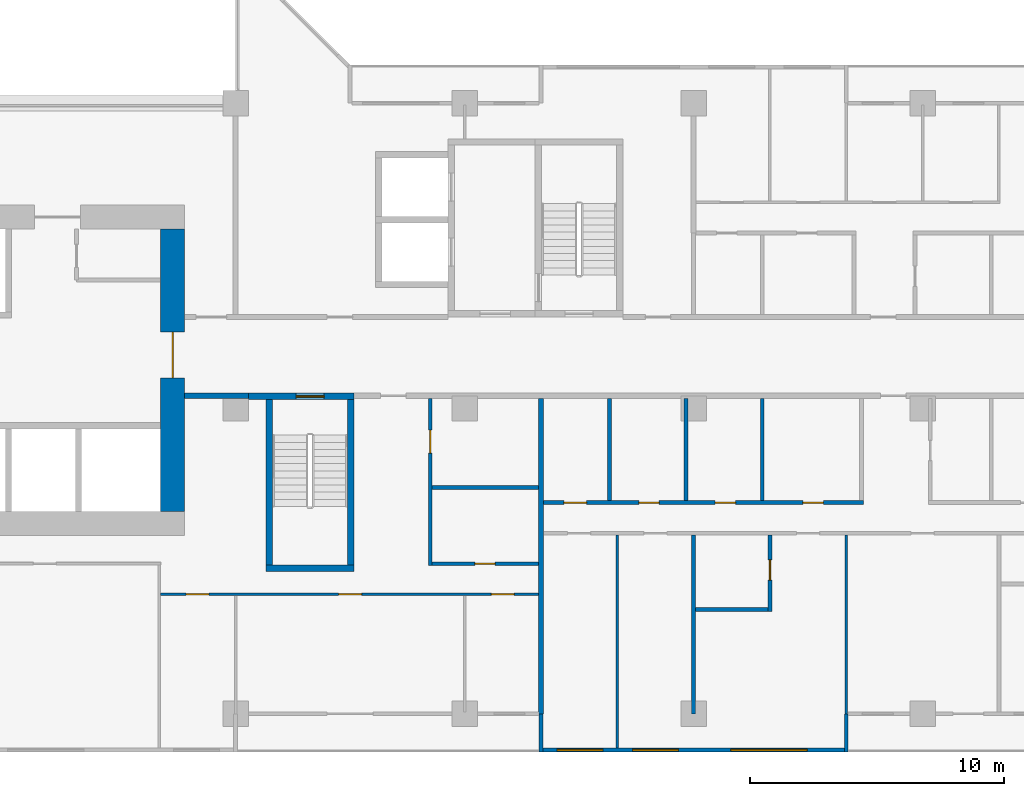
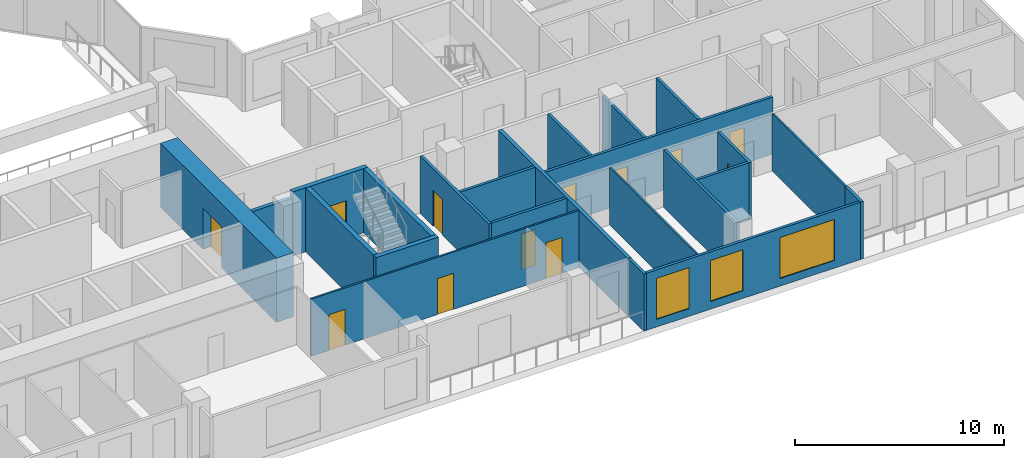
# One storey, part 6 of 15: 23 walls, 12 doors, 3 windows, 15 openings.
"""IFC4 building model written with IfcOpenShell, lengths in metres."""

from ifc_helpers import new_model, si_unit, direction, frame, frame_2d, origin, place, context, subcontext, project, spatial, rectangle, extrude, material, layer, layer_set, type_object, element, fill, save


model = new_model("IFC4")

# Units and contexts
model_context = context("Model", 3, precision=1e-05, world=origin(), true_north=direction((0.0, 1.0)))
body_context = subcontext(model_context, "Body", "Model", "MODEL_VIEW")
ifc_project = project(units=[si_unit("LENGTHUNIT", "METRE"), si_unit("AREAUNIT", "SQUARE_METRE"), si_unit("VOLUMEUNIT", "CUBIC_METRE"), si_unit("PLANEANGLEUNIT", "RADIAN"), si_unit("MASSUNIT", "GRAM", prefix="KILO")], contexts=[model_context])

# Site, building, storey
site_placement = place(None, origin())
site = spatial("IfcSite", under=ifc_project, at=site_placement, CompositionType="ELEMENT")
building_placement = place(site_placement, origin())
building = spatial("IfcBuilding", under=site, at=building_placement, Name="Chenar Terraces", CompositionType="ELEMENT")
storey_placement = place(building_placement, frame((0.0, 0.0, 118.14990234375)))
storey = spatial("IfcBuildingStorey", under=building, at=storey_placement, Name="L27", CompositionType="ELEMENT", Elevation=118.14990234375)

# Wall
ifc_material_1 = material(Name="Concrete C70/85", Category="concrete")
ifc_layer_1 = layer(ifc_material_1, 0.25)
ifc_layer_set_1 = layer_set([ifc_layer_1], Name="Concrete C70/85")
wall_type_1 = type_object("IfcWallType", Name="Core wall 250 Concrete C70/85", PredefinedType="SHEAR", material=ifc_layer_set_1)
wall_1_placement = place(storey_placement, frame((37.199951171875, 5.72509765625, 0.0), z_axis=(0.0, 0.0, 1.0), x_axis=(1.0, 0.0, 0.0)))
element("IfcWall", 1, at=wall_1_placement, inside=storey, type_object=wall_type_1, Name="Core wall ST2_S L27", PredefinedType="SHEAR", context=body_context, shape_type="SweptSolid", body=[
    extrude(rectangle(XDim=3.449951171875, YDim=0.25, at=frame_2d((1.72509765625, 0.0))), origin(), (0.0, 0.0, 1.0), 3.75),
])

# Wall, opening, door
wall_2_placement = place(storey_placement, frame((36.5, 12.47509765625, 0.0), z_axis=(0.0, 0.0, 1.0), x_axis=(1.0, 0.0, 0.0)))
wall_2 = element("IfcWall", 2, at=wall_2_placement, inside=storey, type_object=wall_type_1, Name="Core wall ST2_N L27", PredefinedType="SHEAR", context=body_context, shape_type="SweptSolid", body=[
    extrude(rectangle(XDim=4.14990234375, YDim=0.25, at=frame_2d((2.074951171875, 0.0))), origin(), (0.0, 0.0, 1.0), 3.75),
])
opening_1_placement = place(wall_2_placement, frame((1.875, 0.0, 0.0)))
opening_1 = element("IfcOpeningElement", 3, at=opening_1_placement, cuts=wall_2, Name="Opening DL27-C7", PredefinedType="OPENING", context=body_context, shape_type="SweptSolid", body=[
    extrude(rectangle(XDim=1.10009765625, YDim=2.199951171875, at=frame_2d((0.550048828125, 1.10009765625))), frame((0.0, 0.135009765625, 0.0), z_axis=(0.0, -1.0, 0.0), x_axis=(1.0, 0.0, 0.0)), (0.0, 0.0, 1.0), 0.27001953125),
])
ifc_material_2 = material(Name="Steel-framed fire-resisting door leaf", Category="steel")
door_type_1 = type_object("IfcDoorType", Name="Stair fire door FD60 1100 x 2200", OperationType="SINGLE_SWING_LEFT", PredefinedType="DOOR", material=ifc_material_2)
door_1_placement = place(opening_1_placement, frame((1.10009765625, 0.0, 0.0), z_axis=(0.0, 0.0, 1.0), x_axis=(-1.0, 0.0, 0.0)))
door_1 = element("IfcDoor", 4, at=door_1_placement, inside=storey, type_object=door_type_1, Name="Stair door DL27-C7", OperationType="SINGLE_SWING_RIGHT", OverallHeight=2.199951171875, OverallWidth=1.10009765625, PredefinedType="DOOR", context=body_context, shape_type="SweptSolid", body=[
    extrude(rectangle(XDim=1.10009765625, YDim=2.199951171875, at=frame_2d((0.550048828125, 1.10009765625))), frame((0.0, 0.02490234375, 0.0), z_axis=(0.0, -1.0, 0.0), x_axis=(1.0, 0.0, 0.0)), (0.0, 0.0, 1.0), 0.050048828125),
])
fill(opening_1, door_1)

# Walls
for number, where, z_axis, x_axis, name in (
    (5, (37.324951171875, 5.85009765625, 0.0), (0.0, 0.0, 1.0), (0.0, 1.0, 0.0), "Core wall ST2_W L27"),
    (6, (40.52490234375, 5.85009765625, 0.0), (0.0, 0.0, 1.0), (0.0, 1.0, 0.0), "Core wall ST2_E L27"),
):
    element("IfcWall", number, at=place(storey_placement, frame(where, z_axis=z_axis, x_axis=x_axis)), inside=storey, type_object=wall_type_1, Name=name, PredefinedType="SHEAR", context=body_context, shape_type="SweptSolid", body=[
        extrude(rectangle(XDim=6.5, YDim=0.25, at=frame_2d((3.25, 0.0))), origin(), (0.0, 0.0, 1.0), 3.75),
    ])

# Wall, opening, door
ifc_material_3 = material(Name="Concrete C70/85", Category="concrete")
ifc_layer_2 = layer(ifc_material_3, 0.949951171875)
ifc_layer_set_2 = layer_set([ifc_layer_2], Name="Concrete C70/85")
wall_type_2 = type_object("IfcWallType", Name="Core wall 950 Concrete C70/85", PredefinedType="SHEAR", material=ifc_layer_set_2)
wall_3_placement = place(storey_placement, frame((33.52490234375, 7.949951171875, 0.0), z_axis=(0.0, 0.0, 1.0), x_axis=(0.0, 1.0, 0.0)))
wall_3 = element("IfcWall", 7, at=wall_3_placement, inside=storey, type_object=wall_type_2, Name="Core wall E L27", PredefinedType="SHEAR", context=body_context, shape_type="SweptSolid", body=[
    extrude(rectangle(XDim=11.10009765625, YDim=0.949951171875, at=frame_2d((5.550048828125, 0.0))), origin(), (0.0, 0.0, 1.0), 3.75),
])
opening_2_placement = place(wall_3_placement, frame((5.25, 0.0, 0.0)))
opening_2 = element("IfcOpeningElement", 8, at=opening_2_placement, cuts=wall_3, Name="Opening DL27-C1", PredefinedType="OPENING", context=body_context, shape_type="SweptSolid", body=[
    extrude(rectangle(XDim=1.800048828125, YDim=2.39990234375, at=frame_2d((0.89990234375, 1.199951171875))), frame((0.0, 0.48486328125, 0.0), z_axis=(0.0, -1.0, 0.0), x_axis=(1.0, 0.0, 0.0)), (0.0, 0.0, 1.0), 0.969970703125),
])
ifc_material_4 = material(Name="Steel-framed fire-resisting door leaf", Category="steel")
door_type_2 = type_object("IfcDoorType", Name="Core entrance double fire door FD60 1800 x 2400", OperationType="DOUBLE_DOOR_SINGLE_SWING", PredefinedType="DOOR", material=ifc_material_4)
door_2_placement = place(opening_2_placement, origin())
door_2 = element("IfcDoor", 9, at=door_2_placement, inside=storey, type_object=door_type_2, Name="Core door DL27-C1", OperationType="DOUBLE_DOOR_SINGLE_SWING", OverallHeight=2.39990234375, OverallWidth=1.800048828125, PredefinedType="DOOR", context=body_context, shape_type="SweptSolid", body=[
    extrude(rectangle(XDim=1.800048828125, YDim=2.39990234375, at=frame_2d((0.89990234375, 1.199951171875))), frame((0.0, 0.02490234375, 0.0), z_axis=(0.0, -1.0, 0.0), x_axis=(1.0, 0.0, 0.0)), (0.0, 0.0, 1.0), 0.050048828125),
])
fill(opening_2, door_2)

# Wall
ifc_material_5 = material(Name="Gypsum board on steel studs with fire boards", Category="steel")
ifc_layer_3 = layer(ifc_material_5, 0.199951171875)
ifc_layer_set_3 = layer_set([ifc_layer_3], Name="Gypsum board on steel studs with fire boards")
wall_type_3 = type_object("IfcWallType", Name="Corridor wall 200", PredefinedType="PARTITIONING", material=ifc_layer_set_3)
wall_4_placement = place(storey_placement, frame((34.0, 12.5, 0.0), z_axis=(0.0, 0.0, 1.0), x_axis=(1.0, 0.0, 0.0)))
element("IfcWall", 10, at=wall_4_placement, inside=storey, type_object=wall_type_3, Name="Partition L27-060", PredefinedType="PARTITIONING", context=body_context, shape_type="SweptSolid", body=[
    extrude(rectangle(XDim=2.5009765625, YDim=0.199951171875, at=frame_2d((1.25048828125, 0.0))), origin(), (0.0, 0.0, 1.0), 3.35009765625),
])

# Wall, openings, windows
ifc_material_6 = material(Name="Aluminium framed glazing", Category="aluminium")
ifc_layer_4 = layer(ifc_material_6, 0.14990234375)
ifc_layer_set_4 = layer_set([ifc_layer_4], Name="Aluminium framed glazing")
wall_type_4 = type_object("IfcWallType", Name="Glazed flush facade wall 150", PredefinedType="SOLIDWALL", material=ifc_layer_set_4)
wall_5_placement = place(storey_placement, frame((48.074951171875, -1.425048828125, 0.0), z_axis=(0.0, 0.0, 1.0), x_axis=(1.0, 0.0, 0.0)))
wall_5 = element("IfcWall", 11, at=wall_5_placement, inside=storey, type_object=wall_type_4, Name="Glazed flush facade wall", PredefinedType="SOLIDWALL", context=body_context, shape_type="SweptSolid", body=[
    extrude(rectangle(XDim=11.85009765625, YDim=0.14990234375, at=frame_2d((5.925048828125, 0.0))), origin(), (0.0, 0.0, 1.0), 3.35009765625),
])
opening_3_placement = place(wall_5_placement, frame((0.5625, 0.0, 0.449951171875)))
opening_3 = element("IfcOpeningElement", 12, at=opening_3_placement, cuts=wall_5, Name="Opening W180x240", PredefinedType="OPENING", context=body_context, shape_type="SweptSolid", body=[
    extrude(rectangle(XDim=1.800048828125, YDim=2.39990234375, at=frame_2d((0.89990234375, 1.199951171875))), frame((0.0, 0.0849609375, 0.0), z_axis=(0.0, -1.0, 0.0), x_axis=(1.0, 0.0, 0.0)), (0.0, 0.0, 1.0), 0.169921875),
])
opening_4_placement = place(wall_5_placement, frame((3.52490234375, 0.0, 0.449951171875)))
opening_4 = element("IfcOpeningElement", 13, at=opening_4_placement, cuts=wall_5, Name="Opening W180x240", PredefinedType="OPENING", context=body_context, shape_type="SweptSolid", body=[
    extrude(rectangle(XDim=1.800048828125, YDim=2.39990234375, at=frame_2d((0.89990234375, 1.199951171875))), frame((0.0, 0.0849609375, 0.0), z_axis=(0.0, -1.0, 0.0), x_axis=(1.0, 0.0, 0.0)), (0.0, 0.0, 1.0), 0.169921875),
])
opening_5_placement = place(wall_5_placement, frame((7.387451171875, 0.0, 0.449951171875)))
opening_5 = element("IfcOpeningElement", 14, at=opening_5_placement, cuts=wall_5, Name="Opening W300x240", PredefinedType="OPENING", context=body_context, shape_type="SweptSolid", body=[
    extrude(rectangle(XDim=3.0, YDim=2.39990234375, at=frame_2d((1.5, 1.199951171875))), frame((0.0, 0.0849609375, 0.0), z_axis=(0.0, -1.0, 0.0), x_axis=(1.0, 0.0, 0.0)), (0.0, 0.0, 1.0), 0.169921875),
])
ifc_material_7 = material(Name="Low emissivity double glazing, aluminium frame", Category="aluminium")
window_type_1 = type_object("IfcWindowType", Name="Fixed light 1800 x 2400", PartitioningType="SINGLE_PANEL", PredefinedType="WINDOW", material=ifc_material_7)
window_1_placement = place(opening_3_placement, origin())
window_1 = element("IfcWindow", 15, at=window_1_placement, inside=storey, type_object=window_type_1, Name="Window", OverallHeight=2.39990234375, OverallWidth=1.800048828125, PartitioningType="SINGLE_PANEL", PredefinedType="WINDOW", context=body_context, shape_type="SweptSolid", body=[
    extrude(rectangle(XDim=1.800048828125, YDim=2.39990234375, at=frame_2d((0.89990234375, 1.199951171875))), frame((0.0, 0.030029296875, 0.0), z_axis=(0.0, -1.0, 0.0), x_axis=(1.0, 0.0, 0.0)), (0.0, 0.0, 1.0), 0.06005859375),
])
fill(opening_3, window_1)
window_2_placement = place(opening_4_placement, origin())
window_2 = element("IfcWindow", 16, at=window_2_placement, inside=storey, type_object=window_type_1, Name="Window", OverallHeight=2.39990234375, OverallWidth=1.800048828125, PartitioningType="SINGLE_PANEL", PredefinedType="WINDOW", context=body_context, shape_type="SweptSolid", body=[
    extrude(rectangle(XDim=1.800048828125, YDim=2.39990234375, at=frame_2d((0.89990234375, 1.199951171875))), frame((0.0, 0.030029296875, 0.0), z_axis=(0.0, -1.0, 0.0), x_axis=(1.0, 0.0, 0.0)), (0.0, 0.0, 1.0), 0.06005859375),
])
fill(opening_4, window_2)
ifc_material_8 = material(Name="Low emissivity double glazing, aluminium frame", Category="aluminium")
window_type_2 = type_object("IfcWindowType", Name="Fixed light 3000 x 2400", PartitioningType="SINGLE_PANEL", PredefinedType="WINDOW", material=ifc_material_8)
window_3_placement = place(opening_5_placement, origin())
window_3 = element("IfcWindow", 17, at=window_3_placement, inside=storey, type_object=window_type_2, Name="Window", OverallHeight=2.39990234375, OverallWidth=3.0, PartitioningType="SINGLE_PANEL", PredefinedType="WINDOW", context=body_context, shape_type="SweptSolid", body=[
    extrude(rectangle(XDim=3.0, YDim=2.39990234375, at=frame_2d((1.5, 1.199951171875))), frame((0.0, 0.030029296875, 0.0), z_axis=(0.0, -1.0, 0.0), x_axis=(1.0, 0.0, 0.0)), (0.0, 0.0, 1.0), 0.06005859375),
])
fill(opening_5, window_3)

# Wall, openings, doors
ifc_material_9 = material(Name="Gypsum board on steel studs", Category="steel")
ifc_layer_5 = layer(ifc_material_9, 0.10009765625)
ifc_layer_set_5 = layer_set([ifc_layer_5], Name="Gypsum board on steel studs")
wall_type_5 = type_object("IfcWallType", Name="Gypsum partition 100", PredefinedType="PARTITIONING", material=ifc_layer_set_5)
wall_6_placement = place(storey_placement, frame((33.050048828125, 4.699951171875, 0.0), z_axis=(0.0, 0.0, 1.0), x_axis=(1.0, 0.0, 0.0)))
wall_6 = element("IfcWall", 18, at=wall_6_placement, inside=storey, type_object=wall_type_5, Name="Partition L27-059", PredefinedType="PARTITIONING", context=body_context, shape_type="SweptSolid", body=[
    extrude(rectangle(XDim=14.849853515625, YDim=0.10009765625, at=frame_2d((7.4248046875, 0.0))), origin(), (0.0, 0.0, 1.0), 3.35009765625),
])
opening_6_placement = place(wall_6_placement, frame((1.0, 0.0, 0.0)))
opening_6 = element("IfcOpeningElement", 19, at=opening_6_placement, cuts=wall_6, Name="Opening DL27-62", PredefinedType="OPENING", context=body_context, shape_type="SweptSolid", body=[
    extrude(rectangle(XDim=0.89990234375, YDim=2.10009765625, at=frame_2d((0.449951171875, 1.050048828125))), frame((0.0, 0.06005859375, 0.0), z_axis=(0.0, -1.0, 0.0), x_axis=(1.0, 0.0, 0.0)), (0.0, 0.0, 1.0), 0.1201171875),
])
opening_7_placement = place(wall_6_placement, frame((13.0, 0.0, 0.0)))
opening_7 = element("IfcOpeningElement", 20, at=opening_7_placement, cuts=wall_6, Name="Opening DL27-63", PredefinedType="OPENING", context=body_context, shape_type="SweptSolid", body=[
    extrude(rectangle(XDim=0.89990234375, YDim=2.10009765625, at=frame_2d((0.449951171875, 1.050048828125))), frame((0.0, 0.06005859375, 0.0), z_axis=(0.0, -1.0, 0.0), x_axis=(1.0, 0.0, 0.0)), (0.0, 0.0, 1.0), 0.1201171875),
])
opening_8_placement = place(wall_6_placement, frame((7.0, 0.0, 0.0)))
opening_8 = element("IfcOpeningElement", 21, at=opening_8_placement, cuts=wall_6, Name="Opening DL27-69", PredefinedType="OPENING", context=body_context, shape_type="SweptSolid", body=[
    extrude(rectangle(XDim=0.89990234375, YDim=2.10009765625, at=frame_2d((0.449951171875, 1.050048828125))), frame((0.0, 0.06005859375, 0.0), z_axis=(0.0, -1.0, 0.0), x_axis=(1.0, 0.0, 0.0)), (0.0, 0.0, 1.0), 0.1201171875),
])
ifc_material_10 = material(Name="Veneered timber door leaf", Category="wood")
door_type_3 = type_object("IfcDoorType", Name="Door 900 x 2100", OperationType="SINGLE_SWING_LEFT", PredefinedType="DOOR", material=ifc_material_10)
door_3_placement = place(opening_6_placement, frame((0.89990234375, 0.0, 0.0), z_axis=(0.0, 0.0, 1.0), x_axis=(-1.0, 0.0, 0.0)))
door_3 = element("IfcDoor", 22, at=door_3_placement, inside=storey, type_object=door_type_3, Name="Door DL27-62", OperationType="SINGLE_SWING_LEFT", OverallHeight=2.10009765625, OverallWidth=0.89990234375, PredefinedType="DOOR", context=body_context, shape_type="SweptSolid", body=[
    extrude(rectangle(XDim=0.89990234375, YDim=2.10009765625, at=frame_2d((0.449951171875, 1.050048828125))), frame((0.0, 0.02490234375, 0.0), z_axis=(0.0, -1.0, 0.0), x_axis=(1.0, 0.0, 0.0)), (0.0, 0.0, 1.0), 0.050048828125),
])
fill(opening_6, door_3)
door_4_placement = place(opening_7_placement, frame((0.89990234375, 0.0, 0.0), z_axis=(0.0, 0.0, 1.0), x_axis=(-1.0, 0.0, 0.0)))
door_4 = element("IfcDoor", 23, at=door_4_placement, inside=storey, type_object=door_type_3, Name="Door DL27-63", OperationType="SINGLE_SWING_LEFT", OverallHeight=2.10009765625, OverallWidth=0.89990234375, PredefinedType="DOOR", context=body_context, shape_type="SweptSolid", body=[
    extrude(rectangle(XDim=0.89990234375, YDim=2.10009765625, at=frame_2d((0.449951171875, 1.050048828125))), frame((0.0, 0.02490234375, 0.0), z_axis=(0.0, -1.0, 0.0), x_axis=(1.0, 0.0, 0.0)), (0.0, 0.0, 1.0), 0.050048828125),
])
fill(opening_7, door_4)
door_5_placement = place(opening_8_placement, frame((0.89990234375, 0.0, 0.0), z_axis=(0.0, 0.0, 1.0), x_axis=(-1.0, 0.0, 0.0)))
door_5 = element("IfcDoor", 24, at=door_5_placement, inside=storey, type_object=door_type_3, Name="Door DL27-69", OperationType="SINGLE_SWING_LEFT", OverallHeight=2.10009765625, OverallWidth=0.89990234375, PredefinedType="DOOR", context=body_context, shape_type="SweptSolid", body=[
    extrude(rectangle(XDim=0.89990234375, YDim=2.10009765625, at=frame_2d((0.449951171875, 1.050048828125))), frame((0.0, 0.02490234375, 0.0), z_axis=(0.0, -1.0, 0.0), x_axis=(1.0, 0.0, 0.0)), (0.0, 0.0, 1.0), 0.050048828125),
])
fill(opening_8, door_5)

# Walls
wall_7_placement = place(storey_placement, frame((51.0, -1.35009765625, 0.0), z_axis=(0.0, 0.0, 1.0), x_axis=(0.0, 1.0, 0.0)))
element("IfcWall", 25, at=wall_7_placement, inside=storey, type_object=wall_type_5, Name="Partition L27-074", PredefinedType="PARTITIONING", context=body_context, shape_type="SweptSolid", body=[
    extrude(rectangle(XDim=8.375, YDim=0.10009765625, at=frame_2d((4.1875, 0.0))), origin(), (0.0, 0.0, 1.0), 3.35009765625),
])
wall_8_placement = place(storey_placement, frame((60.0, 0.0, 0.0), z_axis=(0.0, 0.0, 1.0), x_axis=(0.0, 1.0, 0.0)))
element("IfcWall", 26, at=wall_8_placement, inside=storey, type_object=wall_type_5, Name="Partition L27-087", PredefinedType="PARTITIONING", context=body_context, shape_type="SweptSolid", body=[
    extrude(rectangle(XDim=7.02490234375, YDim=0.10009765625, at=frame_2d((3.512451171875, 0.0))), origin(), (0.0, 0.0, 1.0), 3.35009765625),
])
ifc_material_11 = material(Name="Terracotta cladding on insulated backing", Category="masonry")
ifc_layer_6 = layer(ifc_material_11, 0.14990234375)
ifc_layer_set_6 = layer_set([ifc_layer_6], Name="Terracotta cladding on insulated backing")
wall_type_6 = type_object("IfcWallType", Name="Loggia return wall 150", PredefinedType="SOLIDWALL", material=ifc_layer_set_6)
for number, where, z_axis, x_axis, name in (
    (27, (48.0, -1.5, 0.0), (0.0, 0.0, 1.0), (0.0, 1.0, 0.0), "Loggia return wall"),
    (28, (60.0, -1.5, 0.0), (0.0, 0.0, 1.0), (0.0, 1.0, 0.0), "Loggia return wall"),
):
    element("IfcWall", number, at=place(storey_placement, frame(where, z_axis=z_axis, x_axis=x_axis)), inside=storey, type_object=wall_type_6, Name=name, PredefinedType="SOLIDWALL", context=body_context, shape_type="SweptSolid", body=[
        extrude(rectangle(XDim=1.5, YDim=0.14990234375, at=frame_2d((0.75, 0.0))), origin(), (0.0, 0.0, 1.0), 3.35009765625),
    ])
ifc_material_12 = material(Name="Twin gypsum board on steel studs with mineral wool", Category="steel")
ifc_layer_7 = layer(ifc_material_12, 0.199951171875)
ifc_layer_set_7 = layer_set([ifc_layer_7], Name="Twin gypsum board on steel studs with mineral wool")
wall_type_7 = type_object("IfcWallType", Name="Unit demising wall 200", PredefinedType="PARTITIONING", material=ifc_layer_set_7)
wall_9_placement = place(storey_placement, frame((48.0, 0.0, 0.0), z_axis=(0.0, 0.0, 1.0), x_axis=(0.0, 1.0, 0.0)))
element("IfcWall", 29, at=wall_9_placement, inside=storey, type_object=wall_type_7, Name="Partition L27-070", PredefinedType="PARTITIONING", context=body_context, shape_type="SweptSolid", body=[
    extrude(rectangle(XDim=12.39990234375, YDim=0.199951171875, at=frame_2d((6.199951171875, 0.0))), origin(), (0.0, 0.0, 1.0), 3.35009765625),
])

# Wall, opening, door
ifc_material_13 = material(Name="Moisture-resistant gypsum board on steel studs", Category="steel")
ifc_layer_8 = layer(ifc_material_13, 0.14990234375)
ifc_layer_set_8 = layer_set([ifc_layer_8], Name="Moisture-resistant gypsum board on steel studs")
wall_type_8 = type_object("IfcWallType", Name="Wet-room partition 150", PredefinedType="PARTITIONING", material=ifc_layer_set_8)
wall_10_placement = place(storey_placement, frame((43.64990234375, 5.824951171875, 0.0), z_axis=(0.0, 0.0, 1.0), x_axis=(0.0, 1.0, 0.0)))
wall_10 = element("IfcWall", 30, at=wall_10_placement, inside=storey, type_object=wall_type_8, Name="Partition L27-065", PredefinedType="PARTITIONING", context=body_context, shape_type="SweptSolid", body=[
    extrude(rectangle(XDim=6.574951171875, YDim=0.14990234375, at=frame_2d((3.28759765625, 0.0))), origin(), (0.0, 0.0, 1.0), 3.35009765625),
])
opening_9_placement = place(wall_10_placement, frame((4.425048828125, 0.0, 0.0)))
opening_9 = element("IfcOpeningElement", 31, at=opening_9_placement, cuts=wall_10, Name="Opening DL27-67", PredefinedType="OPENING", context=body_context, shape_type="SweptSolid", body=[
    extrude(rectangle(XDim=0.89990234375, YDim=2.10009765625, at=frame_2d((0.449951171875, 1.050048828125))), frame((0.0, 0.0849609375, 0.0), z_axis=(0.0, -1.0, 0.0), x_axis=(1.0, 0.0, 0.0)), (0.0, 0.0, 1.0), 0.169921875),
])
door_6_placement = place(opening_9_placement, frame((0.89990234375, 0.0, 0.0), z_axis=(0.0, 0.0, 1.0), x_axis=(-1.0, 0.0, 0.0)))
door_6 = element("IfcDoor", 32, at=door_6_placement, inside=storey, type_object=door_type_3, Name="Door DL27-67", OperationType="SINGLE_SWING_LEFT", OverallHeight=2.10009765625, OverallWidth=0.89990234375, PredefinedType="DOOR", context=body_context, shape_type="SweptSolid", body=[
    extrude(rectangle(XDim=0.89990234375, YDim=2.10009765625, at=frame_2d((0.449951171875, 1.050048828125))), frame((0.0, 0.02490234375, 0.0), z_axis=(0.0, -1.0, 0.0), x_axis=(1.0, 0.0, 0.0)), (0.0, 0.0, 1.0), 0.050048828125),
])
fill(opening_9, door_6)

wall_11_placement = place(storey_placement, frame((43.72509765625, 5.89990234375, 0.0), z_axis=(0.0, 0.0, 1.0), x_axis=(1.0, 0.0, 0.0)))
wall_11 = element("IfcWall", 33, at=wall_11_placement, inside=storey, type_object=wall_type_8, Name="Partition L27-066", PredefinedType="PARTITIONING", context=body_context, shape_type="SweptSolid", body=[
    extrude(rectangle(XDim=4.1748046875, YDim=0.14990234375, at=frame_2d((2.08740234375, 0.0))), origin(), (0.0, 0.0, 1.0), 3.35009765625),
])
opening_10_placement = place(wall_11_placement, frame((1.675048828125, 0.0, 0.0)))
opening_10 = element("IfcOpeningElement", 34, at=opening_10_placement, cuts=wall_11, Name="Opening DL27-57", PredefinedType="OPENING", context=body_context, shape_type="SweptSolid", body=[
    extrude(rectangle(XDim=0.800048828125, YDim=2.10009765625, at=frame_2d((0.39990234375, 1.050048828125))), frame((0.0, 0.0849609375, 0.0), z_axis=(0.0, -1.0, 0.0), x_axis=(1.0, 0.0, 0.0)), (0.0, 0.0, 1.0), 0.169921875),
])
ifc_material_14 = material(Name="Veneered timber door leaf", Category="wood")
door_type_4 = type_object("IfcDoorType", Name="Door 800 x 2100", OperationType="SINGLE_SWING_LEFT", PredefinedType="DOOR", material=ifc_material_14)
door_7_placement = place(opening_10_placement, origin())
door_7 = element("IfcDoor", 35, at=door_7_placement, inside=storey, type_object=door_type_4, Name="Door DL27-57", OperationType="SINGLE_SWING_LEFT", OverallHeight=2.10009765625, OverallWidth=0.800048828125, PredefinedType="DOOR", context=body_context, shape_type="SweptSolid", body=[
    extrude(rectangle(XDim=0.800048828125, YDim=2.10009765625, at=frame_2d((0.39990234375, 1.050048828125))), frame((0.0, 0.02490234375, 0.0), z_axis=(0.0, -1.0, 0.0), x_axis=(1.0, 0.0, 0.0)), (0.0, 0.0, 1.0), 0.050048828125),
])
fill(opening_10, door_7)

# Wall
wall_12_placement = place(storey_placement, frame((43.72509765625, 8.89990234375, 0.0), z_axis=(0.0, 0.0, 1.0), x_axis=(1.0, 0.0, 0.0)))
element("IfcWall", 36, at=wall_12_placement, inside=storey, type_object=wall_type_8, Name="Partition L27-067", PredefinedType="PARTITIONING", context=body_context, shape_type="SweptSolid", body=[
    extrude(rectangle(XDim=4.1748046875, YDim=0.14990234375, at=frame_2d((2.08740234375, 0.0))), origin(), (0.0, 0.0, 1.0), 3.35009765625),
])

# Wall, openings, doors
wall_13_placement = place(storey_placement, frame((48.10009765625, 8.300048828125, 0.0), z_axis=(0.0, 0.0, 1.0), x_axis=(1.0, 0.0, 0.0)))
wall_13 = element("IfcWall", 37, at=wall_13_placement, inside=storey, type_object=wall_type_8, Name="Partition L27-072", PredefinedType="PARTITIONING", context=body_context, shape_type="SweptSolid", body=[
    extrude(rectangle(XDim=12.574951171875, YDim=0.14990234375, at=frame_2d((6.28759765625, 0.0))), origin(), (0.0, 0.0, 1.0), 3.35009765625),
])
opening_11_placement = place(wall_13_placement, frame((3.75, 0.0, 0.0)))
opening_11 = element("IfcOpeningElement", 38, at=opening_11_placement, cuts=wall_13, Name="Opening DL27-13", PredefinedType="OPENING", context=body_context, shape_type="SweptSolid", body=[
    extrude(rectangle(XDim=0.800048828125, YDim=2.10009765625, at=frame_2d((0.39990234375, 1.050048828125))), frame((0.0, 0.0849609375, 0.0), z_axis=(0.0, -1.0, 0.0), x_axis=(1.0, 0.0, 0.0)), (0.0, 0.0, 1.0), 0.169921875),
])
opening_12_placement = place(wall_13_placement, frame((0.800048828125, 0.0, 0.0)))
opening_12 = element("IfcOpeningElement", 39, at=opening_12_placement, cuts=wall_13, Name="Opening DL27-19", PredefinedType="OPENING", context=body_context, shape_type="SweptSolid", body=[
    extrude(rectangle(XDim=0.89990234375, YDim=2.10009765625, at=frame_2d((0.449951171875, 1.050048828125))), frame((0.0, 0.0849609375, 0.0), z_axis=(0.0, -1.0, 0.0), x_axis=(1.0, 0.0, 0.0)), (0.0, 0.0, 1.0), 0.169921875),
])
opening_13_placement = place(wall_13_placement, frame((6.75, 0.0, 0.0)))
opening_13 = element("IfcOpeningElement", 40, at=opening_13_placement, cuts=wall_13, Name="Opening DL27-20", PredefinedType="OPENING", context=body_context, shape_type="SweptSolid", body=[
    extrude(rectangle(XDim=0.800048828125, YDim=2.10009765625, at=frame_2d((0.39990234375, 1.050048828125))), frame((0.0, 0.0849609375, 0.0), z_axis=(0.0, -1.0, 0.0), x_axis=(1.0, 0.0, 0.0)), (0.0, 0.0, 1.0), 0.169921875),
])
opening_14_placement = place(wall_13_placement, frame((10.199951171875, 0.0, 0.0)))
opening_14 = element("IfcOpeningElement", 41, at=opening_14_placement, cuts=wall_13, Name="Opening DL27-21", PredefinedType="OPENING", context=body_context, shape_type="SweptSolid", body=[
    extrude(rectangle(XDim=0.800048828125, YDim=2.10009765625, at=frame_2d((0.39990234375, 1.050048828125))), frame((0.0, 0.0849609375, 0.0), z_axis=(0.0, -1.0, 0.0), x_axis=(1.0, 0.0, 0.0)), (0.0, 0.0, 1.0), 0.169921875),
])
door_8_placement = place(opening_11_placement, origin())
door_8 = element("IfcDoor", 42, at=door_8_placement, inside=storey, type_object=door_type_4, Name="Door DL27-13", OperationType="SINGLE_SWING_RIGHT", OverallHeight=2.10009765625, OverallWidth=0.800048828125, PredefinedType="DOOR", context=body_context, shape_type="SweptSolid", body=[
    extrude(rectangle(XDim=0.800048828125, YDim=2.10009765625, at=frame_2d((0.39990234375, 1.050048828125))), frame((0.0, 0.02490234375, 0.0), z_axis=(0.0, -1.0, 0.0), x_axis=(1.0, 0.0, 0.0)), (0.0, 0.0, 1.0), 0.050048828125),
])
fill(opening_11, door_8)
door_9_placement = place(opening_13_placement, origin())
door_9 = element("IfcDoor", 43, at=door_9_placement, inside=storey, type_object=door_type_4, Name="Door DL27-20", OperationType="SINGLE_SWING_RIGHT", OverallHeight=2.10009765625, OverallWidth=0.800048828125, PredefinedType="DOOR", context=body_context, shape_type="SweptSolid", body=[
    extrude(rectangle(XDim=0.800048828125, YDim=2.10009765625, at=frame_2d((0.39990234375, 1.050048828125))), frame((0.0, 0.02490234375, 0.0), z_axis=(0.0, -1.0, 0.0), x_axis=(1.0, 0.0, 0.0)), (0.0, 0.0, 1.0), 0.050048828125),
])
fill(opening_13, door_9)
door_10_placement = place(opening_14_placement, origin())
door_10 = element("IfcDoor", 44, at=door_10_placement, inside=storey, type_object=door_type_4, Name="Door DL27-21", OperationType="SINGLE_SWING_RIGHT", OverallHeight=2.10009765625, OverallWidth=0.800048828125, PredefinedType="DOOR", context=body_context, shape_type="SweptSolid", body=[
    extrude(rectangle(XDim=0.800048828125, YDim=2.10009765625, at=frame_2d((0.39990234375, 1.050048828125))), frame((0.0, 0.02490234375, 0.0), z_axis=(0.0, -1.0, 0.0), x_axis=(1.0, 0.0, 0.0)), (0.0, 0.0, 1.0), 0.050048828125),
])
fill(opening_14, door_10)
door_11_placement = place(opening_12_placement, origin())
door_11 = element("IfcDoor", 45, at=door_11_placement, inside=storey, type_object=door_type_3, Name="Door DL27-19", OperationType="SINGLE_SWING_RIGHT", OverallHeight=2.10009765625, OverallWidth=0.89990234375, PredefinedType="DOOR", context=body_context, shape_type="SweptSolid", body=[
    extrude(rectangle(XDim=0.89990234375, YDim=2.10009765625, at=frame_2d((0.449951171875, 1.050048828125))), frame((0.0, 0.02490234375, 0.0), z_axis=(0.0, -1.0, 0.0), x_axis=(1.0, 0.0, 0.0)), (0.0, 0.0, 1.0), 0.050048828125),
])
fill(opening_12, door_11)

# Walls
for number, where, z_axis, x_axis, name in (
    (46, (50.699951171875, 8.375, 0.0), (0.0, 0.0, 1.0), (0.0, 1.0, 0.0), "Partition L27-073"),
    (47, (53.699951171875, 8.375, 0.0), (0.0, 0.0, 1.0), (0.0, 1.0, 0.0), "Partition L27-076"),
):
    element("IfcWall", number, at=place(storey_placement, frame(where, z_axis=z_axis, x_axis=x_axis)), inside=storey, type_object=wall_type_8, Name=name, PredefinedType="PARTITIONING", context=body_context, shape_type="SweptSolid", body=[
        extrude(rectangle(XDim=4.02490234375, YDim=0.14990234375, at=frame_2d((2.012451171875, 0.0))), origin(), (0.0, 0.0, 1.0), 3.35009765625),
    ])
wall_14_placement = place(storey_placement, frame((54.0, 0.0, 0.0), z_axis=(0.0, 0.0, 1.0), x_axis=(0.0, 1.0, 0.0)))
element("IfcWall", 48, at=wall_14_placement, inside=storey, type_object=wall_type_8, Name="Partition L27-077", PredefinedType="PARTITIONING", context=body_context, shape_type="SweptSolid", body=[
    extrude(rectangle(XDim=7.02490234375, YDim=0.14990234375, at=frame_2d((3.512451171875, 0.0))), origin(), (0.0, 0.0, 1.0), 3.35009765625),
])
wall_15_placement = place(storey_placement, frame((54.074951171875, 4.10009765625, 0.0), z_axis=(0.0, 0.0, 1.0), x_axis=(1.0, 0.0, 0.0)))
element("IfcWall", 49, at=wall_15_placement, inside=storey, type_object=wall_type_8, Name="Partition L27-080", PredefinedType="PARTITIONING", context=body_context, shape_type="SweptSolid", body=[
    extrude(rectangle(XDim=2.85009765625, YDim=0.14990234375, at=frame_2d((1.425048828125, 0.0))), origin(), (0.0, 0.0, 1.0), 3.35009765625),
])
wall_16_placement = place(storey_placement, frame((56.699951171875, 8.375, 0.0), z_axis=(0.0, 0.0, 1.0), x_axis=(0.0, 1.0, 0.0)))
element("IfcWall", 50, at=wall_16_placement, inside=storey, type_object=wall_type_8, Name="Partition L27-083", PredefinedType="PARTITIONING", context=body_context, shape_type="SweptSolid", body=[
    extrude(rectangle(XDim=4.02490234375, YDim=0.14990234375, at=frame_2d((2.012451171875, 0.0))), origin(), (0.0, 0.0, 1.0), 3.35009765625),
])

# Wall, opening, door
wall_17_placement = place(storey_placement, frame((57.0, 4.02490234375, 0.0), z_axis=(0.0, 0.0, 1.0), x_axis=(0.0, 1.0, 0.0)))
wall_17 = element("IfcWall", 51, at=wall_17_placement, inside=storey, type_object=wall_type_8, Name="Partition L27-085", PredefinedType="PARTITIONING", context=body_context, shape_type="SweptSolid", body=[
    extrude(rectangle(XDim=3.0, YDim=0.14990234375, at=frame_2d((1.5, 0.0))), origin(), (0.0, 0.0, 1.0), 3.35009765625),
])
opening_15_placement = place(wall_17_placement, frame((1.22509765625, 0.0, 0.0)))
opening_15 = element("IfcOpeningElement", 52, at=opening_15_placement, cuts=wall_17, Name="Opening DL27-17", PredefinedType="OPENING", context=body_context, shape_type="SweptSolid", body=[
    extrude(rectangle(XDim=0.800048828125, YDim=2.10009765625, at=frame_2d((0.39990234375, 1.050048828125))), frame((0.0, 0.0849609375, 0.0), z_axis=(0.0, -1.0, 0.0), x_axis=(1.0, 0.0, 0.0)), (0.0, 0.0, 1.0), 0.169921875),
])
door_12_placement = place(opening_15_placement, origin())
door_12 = element("IfcDoor", 53, at=door_12_placement, inside=storey, type_object=door_type_4, Name="Door DL27-17", OperationType="SINGLE_SWING_RIGHT", OverallHeight=2.10009765625, OverallWidth=0.800048828125, PredefinedType="DOOR", context=body_context, shape_type="SweptSolid", body=[
    extrude(rectangle(XDim=0.800048828125, YDim=2.10009765625, at=frame_2d((0.39990234375, 1.050048828125))), frame((0.0, 0.02490234375, 0.0), z_axis=(0.0, -1.0, 0.0), x_axis=(1.0, 0.0, 0.0)), (0.0, 0.0, 1.0), 0.050048828125),
])
fill(opening_15, door_12)

save(model, "model.ifc")
